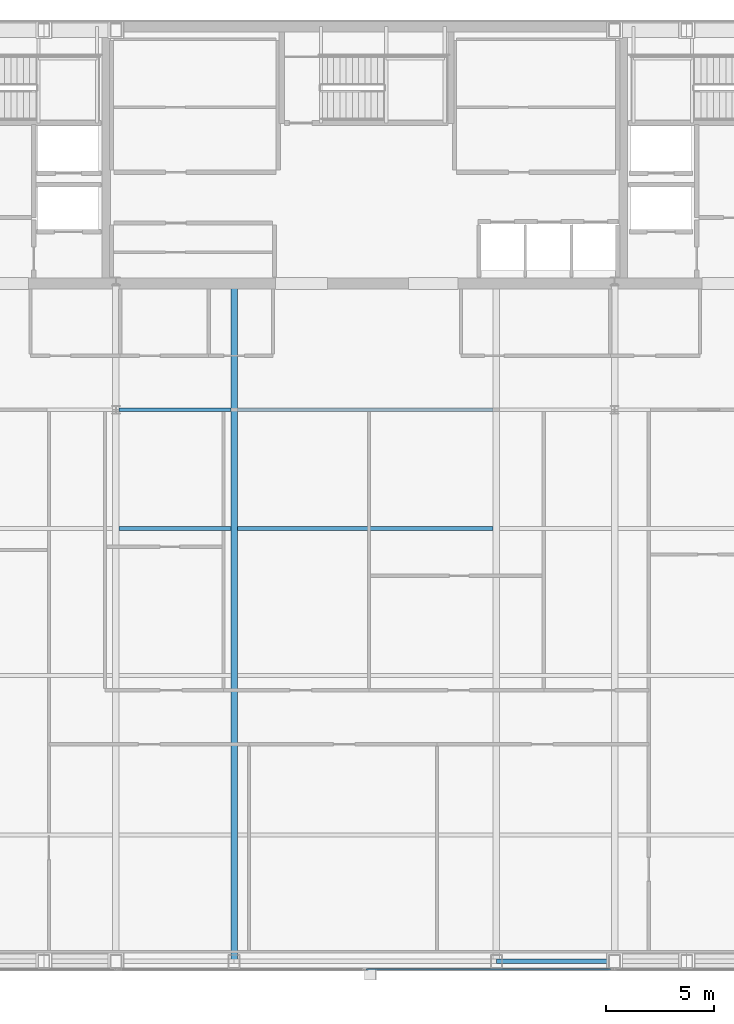
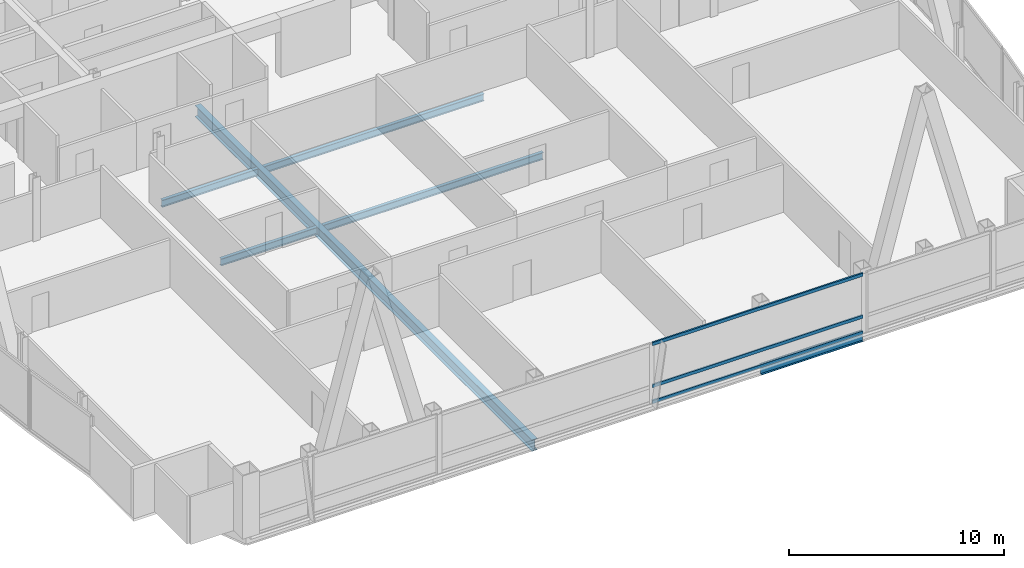
# One storey, part 12 of 29: 6 beams, 3 members, 1 element without a shape of its own.
"""IFC4 building model written with IfcOpenShell, lengths in metres."""

from ifc_helpers import new_model, si_unit, direction, frame, origin, origin_2d, place, context, subcontext, project, spatial, hollow_rectangle, i_section, extrude, material, material_profile, profile_set, type_object, element, aggregate, save


model = new_model("IFC4")

# Units and contexts
model_context = context("Model", 3, precision=1e-05, world=origin(), true_north=direction((0.0, 1.0)))
body_context = subcontext(model_context, "Body", "Model", "MODEL_VIEW")
ifc_project = project(units=[si_unit("LENGTHUNIT", "METRE"), si_unit("AREAUNIT", "SQUARE_METRE"), si_unit("VOLUMEUNIT", "CUBIC_METRE"), si_unit("PLANEANGLEUNIT", "RADIAN"), si_unit("MASSUNIT", "GRAM", prefix="KILO")], contexts=[model_context])

# Site, building, storey
site_placement = place(None, origin())
site = spatial("IfcSite", under=ifc_project, at=site_placement, CompositionType="ELEMENT")
building_placement = place(site_placement, origin())
building = spatial("IfcBuilding", under=site, at=building_placement, Name="Khoronbel Lancet Exchange", CompositionType="ELEMENT")
storey_placement = place(building_placement, frame((0.0, 0.0, 302.199951171875)))
storey = spatial("IfcBuildingStorey", under=building, at=storey_placement, Name="L78", CompositionType="ELEMENT", Elevation=302.199951171875)

# Beams
ifc_material_1 = material(Name="Steel S355", Category="steel")
ifc_material_profile_1 = material_profile(ifc_material_1, i_section(OverallWidth=0.300048828125, OverallDepth=0.64990234375, WebThickness=0.01611328125, FlangeThickness=0.031005859375, at=origin_2d()), Name="HEB 650")
ifc_profile_set_1 = profile_set([ifc_material_profile_1], Name="Steel S355")
beam_type_1 = type_object("IfcBeamType", Name="BM-BG4", PredefinedType="BEAM", material=ifc_profile_set_1)
beam_1_placement = place(storey_placement, frame((30.375, 10.14990234375, -0.48486328125), z_axis=(0.0, 1.0, 0.0), x_axis=(-1.0, 0.0, 0.0)))
element("IfcBeam", 1, at=beam_1_placement, inside=storey, type_object=beam_type_1, Name="Level L78 primary floor girder G3", PredefinedType="BEAM", context=body_context, shape_type="SweptSolid", body=[
    extrude(i_section(OverallWidth=0.300048828125, OverallDepth=0.64990234375, WebThickness=0.01611328125, FlangeThickness=0.031005859375, at=origin_2d()), origin(), (0.0, 0.0, 1.0), 31.400146484375),
])
ifc_material_profile_2 = material_profile(ifc_material_1, i_section(OverallWidth=0.179931640625, OverallDepth=0.39990234375, WebThickness=0.008544921875, FlangeThickness=0.013427734375, at=origin_2d()), Name="IPE 400")
ifc_profile_set_2 = profile_set([ifc_material_profile_2], Name="Steel S355")
beam_type_2 = type_object("IfcBeamType", Name="BM-BJ5", PredefinedType="JOIST", material=ifc_profile_set_2)
beam_2_placement = place(storey_placement, frame((25.050048828125, 30.199951171875, -0.35986328125), z_axis=(1.0, 0.0, 0.0), x_axis=(0.0, 1.0, 0.0)))
element("IfcBeam", 2, at=beam_2_placement, inside=storey, type_object=beam_type_2, Name="Level L78 secondary composite joist J12", PredefinedType="JOIST", context=body_context, shape_type="SweptSolid", body=[
    extrude(i_section(OverallWidth=0.179931640625, OverallDepth=0.39990234375, WebThickness=0.008544921875, FlangeThickness=0.013427734375, at=origin_2d()), origin(), (0.0, 0.0, 1.0), 5.175048828125),
])
beam_3_placement = place(storey_placement, frame((30.52490234375, 30.199951171875, -0.35986328125), z_axis=(1.0, 0.0, 0.0), x_axis=(0.0, 1.0, 0.0)))
element("IfcBeam", 3, at=beam_3_placement, inside=storey, type_object=beam_type_2, Name="Level L78 secondary composite joist J13", PredefinedType="JOIST", context=body_context, shape_type="SweptSolid", body=[
    extrude(i_section(OverallWidth=0.179931640625, OverallDepth=0.39990234375, WebThickness=0.008544921875, FlangeThickness=0.013427734375, at=origin_2d()), origin(), (0.0, 0.0, 1.0), 11.85009765625),
])
beam_4_placement = place(storey_placement, frame((25.050048828125, 35.699951171875, -0.35986328125), z_axis=(1.0, 0.0, 0.0), x_axis=(0.0, 1.0, 0.0)))
element("IfcBeam", 4, at=beam_4_placement, inside=storey, type_object=beam_type_2, Name="Level L78 secondary composite joist J17", PredefinedType="JOIST", context=body_context, shape_type="SweptSolid", body=[
    extrude(i_section(OverallWidth=0.179931640625, OverallDepth=0.39990234375, WebThickness=0.008544921875, FlangeThickness=0.013427734375, at=origin_2d()), origin(), (0.0, 0.0, 1.0), 5.175048828125),
])
beam_5_placement = place(storey_placement, frame((30.52490234375, 35.699951171875, -0.35986328125), z_axis=(1.0, 0.0, 0.0), x_axis=(0.0, 1.0, 0.0)))
element("IfcBeam", 5, at=beam_5_placement, inside=storey, type_object=beam_type_2, Name="Level L78 secondary composite joist J18", PredefinedType="JOIST", context=body_context, shape_type="SweptSolid", body=[
    extrude(i_section(OverallWidth=0.179931640625, OverallDepth=0.39990234375, WebThickness=0.008544921875, FlangeThickness=0.013427734375, at=origin_2d()), origin(), (0.0, 0.0, 1.0), 11.85009765625),
])
ifc_material_profile_3 = material_profile(ifc_material_1, i_section(OverallWidth=0.2099609375, OverallDepth=0.550048828125, WebThickness=0.010986328125, FlangeThickness=0.01708984375, at=origin_2d()), Name="IPE 550")
ifc_profile_set_3 = profile_set([ifc_material_profile_3], Name="Steel S355")
beam_type_3 = type_object("IfcBeamType", Name="BM-BSP3", PredefinedType="SPANDREL", material=ifc_profile_set_3)
beam_6_placement = place(storey_placement, frame((42.52490234375, 10.14990234375, -0.43505859375), z_axis=(1.0, 0.0, 0.0), x_axis=(0.0, 1.0, 0.0)))
element("IfcBeam", 6, at=beam_6_placement, inside=storey, type_object=beam_type_3, Name="Level L78 perimeter spandrel beam SP06", PredefinedType="SPANDREL", context=body_context, shape_type="SweptSolid", body=[
    extrude(i_section(OverallWidth=0.2099609375, OverallDepth=0.550048828125, WebThickness=0.010986328125, FlangeThickness=0.01708984375, at=origin_2d()), origin(), (0.0, 0.0, 1.0), 5.47509765625),
])

# Curtain wall, members
ifc_material_2 = material(Name="Low-E Solar Control Insulating Glass", Category="glass")
curtain_wall_type = type_object("IfcCurtainWallType", Name="CW-3", PredefinedType="NOTDEFINED", material=ifc_material_2)
curtain_wall_placement = place(storey_placement, origin())
curtain_wall = element("IfcCurtainWall", 7, at=curtain_wall_placement, inside=storey, type_object=curtain_wall_type, Name="Unitised curtain wall CW-L78-SCV", PredefinedType="NOTDEFINED")
ifc_material_3 = material(Name="Bronze-Anodised Aluminium 6063-T6", Category="aluminium")
ifc_material_profile_4 = material_profile(ifc_material_3, hollow_rectangle(XDim=0.0849609375, YDim=0.179931640625, WallThickness=0.0048828125, at=origin_2d()), Name="ALU TRANSOM 85x180")
ifc_profile_set_4 = profile_set([ifc_material_profile_4], Name="Bronze-Anodised Aluminium 6063-T6")
member_type = type_object("IfcMemberType", Name="MEM-CWT1", PredefinedType="USERDEFINED", material=ifc_profile_set_4)
member_1_placement = place(storey_placement, frame((36.492431640625, 9.7900390625, 0.04248046875), z_axis=(1.0, 0.0, 0.0), x_axis=(0.0, 1.0, 0.0)))
member_1 = element("IfcMember", 8, at=member_1_placement, type_object=member_type, Name="CW3 transom 2.1", ObjectType="TRANSOM", PredefinedType="USERDEFINED", context=body_context, shape_type="SweptSolid", body=[
    extrude(hollow_rectangle(XDim=0.0849609375, YDim=0.179931640625, WallThickness=0.0048828125, at=origin_2d()), origin(), (0.0, 0.0, 1.0), 11.322509765625),
])
member_2_placement = place(storey_placement, frame((36.492431640625, 9.7900390625, 0.949951171875), z_axis=(1.0, 0.0, 0.0), x_axis=(0.0, 1.0, 0.0)))
member_2 = element("IfcMember", 9, at=member_2_placement, type_object=member_type, Name="CW3 transom 2.2", ObjectType="TRANSOM", PredefinedType="USERDEFINED", context=body_context, shape_type="SweptSolid", body=[
    extrude(hollow_rectangle(XDim=0.0849609375, YDim=0.179931640625, WallThickness=0.0048828125, at=origin_2d()), origin(), (0.0, 0.0, 1.0), 11.322509765625),
])
member_3_placement = place(storey_placement, frame((36.492431640625, 9.7900390625, 3.337646484375), z_axis=(1.0, 0.0, 0.0), x_axis=(0.0, 1.0, 0.0)))
member_3 = element("IfcMember", 10, at=member_3_placement, type_object=member_type, Name="CW3 transom 2.3", ObjectType="TRANSOM", PredefinedType="USERDEFINED", context=body_context, shape_type="SweptSolid", body=[
    extrude(hollow_rectangle(XDim=0.0849609375, YDim=0.179931640625, WallThickness=0.0048828125, at=origin_2d()), origin(), (0.0, 0.0, 1.0), 11.322509765625),
])
aggregate(curtain_wall, [member_1, member_2, member_3])

save(model, "model.ifc")
